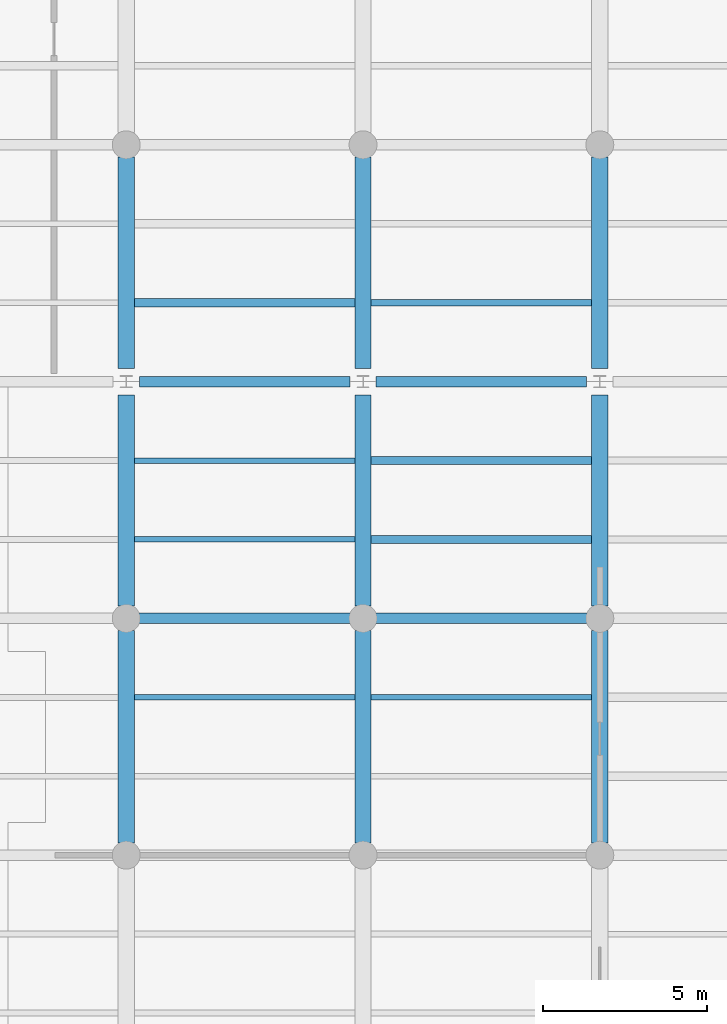
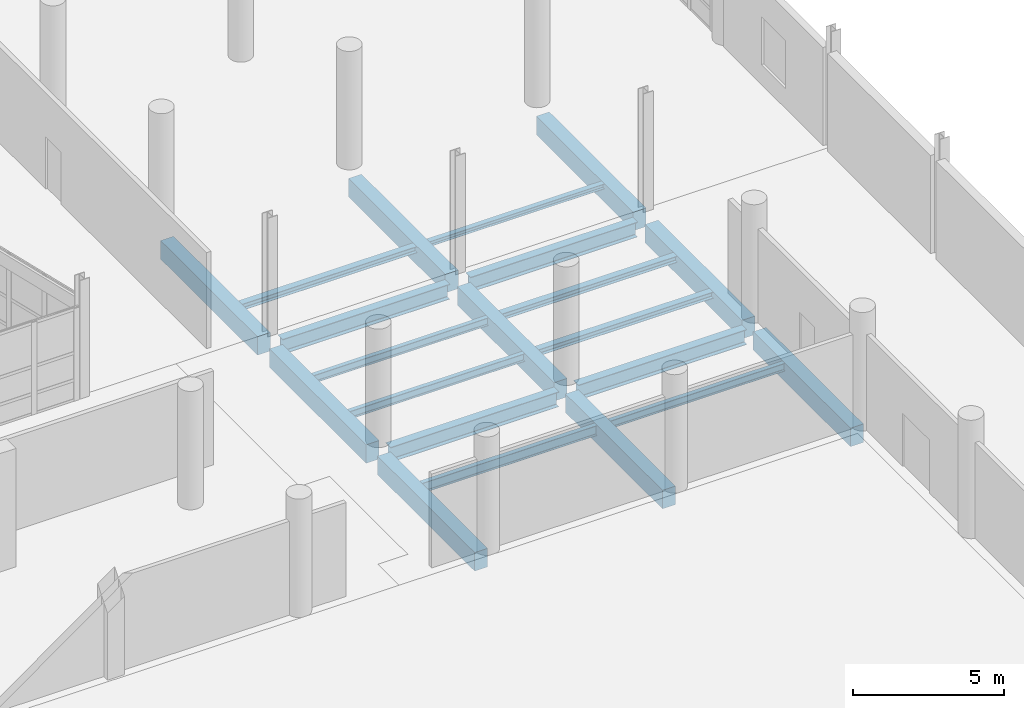
# One storey, part 63 of 127: 21 beams.
"""IFC4 building model written with IfcOpenShell, lengths in metres."""

from ifc_helpers import new_model, si_unit, direction, frame, origin, origin_2d, place, context, subcontext, project, spatial, rectangle, i_section, extrude, material, material_profile, profile_set, type_object, element, save


model = new_model("IFC4")

# Units and contexts
model_context = context("Model", 3, precision=1e-05, world=origin(), true_north=direction((0.0, 1.0)))
body_context = subcontext(model_context, "Body", "Model", "MODEL_VIEW")
ifc_project = project(units=[si_unit("LENGTHUNIT", "METRE"), si_unit("AREAUNIT", "SQUARE_METRE"), si_unit("VOLUMEUNIT", "CUBIC_METRE"), si_unit("PLANEANGLEUNIT", "RADIAN"), si_unit("MASSUNIT", "GRAM", prefix="KILO")], contexts=[model_context])

# Site, building, storey
site_placement = place(None, origin())
site = spatial("IfcSite", under=ifc_project, at=site_placement, CompositionType="ELEMENT")
building_placement = place(site_placement, origin())
building = spatial("IfcBuilding", under=site, at=building_placement, Name="Kalmorath City Hall", CompositionType="ELEMENT")
storey_placement = place(building_placement, frame((0.0, 0.0, 5.39990234375)))
storey = spatial("IfcBuildingStorey", under=building, at=storey_placement, Name="L01", CompositionType="ELEMENT", Elevation=5.39990234375)

# Beams
ifc_material_1 = material(Name="Concrete C40/50", Category="concrete")
ifc_material_profile_1 = material_profile(ifc_material_1, rectangle(XDim=0.5, YDim=0.75, at=origin_2d()), Name="RC-BM-500X750")
ifc_profile_set_1 = profile_set([ifc_material_profile_1], Name="Concrete C40/50")
beam_type_1 = type_object("IfcBeamType", Name="Concrete floor beam 500x750", PredefinedType="BEAM", material=ifc_profile_set_1)
beam_1_placement = place(storey_placement, frame((144.0, 29.175048828125, -0.698974609375), z_axis=(0.0, 1.0, 0.0), x_axis=(-1.0, 0.0, 0.0)))
element("IfcBeam", 1, at=beam_1_placement, inside=storey, type_object=beam_type_1, Name="L01 girder CB3 Y21/5-6", PredefinedType="BEAM", context=body_context, shape_type="SweptSolid", body=[
    extrude(rectangle(XDim=0.5, YDim=0.75, at=origin_2d()), origin(), (0.0, 0.0, 1.0), 6.449951171875),
])
beam_2_placement = place(storey_placement, frame((144.0, 36.375, -0.698974609375), z_axis=(0.0, 1.0, 0.0), x_axis=(-1.0, 0.0, 0.0)))
element("IfcBeam", 2, at=beam_2_placement, inside=storey, type_object=beam_type_1, Name="L01 girder CB3 Y21/6-7", PredefinedType="BEAM", context=body_context, shape_type="SweptSolid", body=[
    extrude(rectangle(XDim=0.5, YDim=0.75, at=origin_2d()), origin(), (0.0, 0.0, 1.0), 6.425048828125),
])
beam_3_placement = place(storey_placement, frame((144.0, 43.60009765625, -0.698974609375), z_axis=(0.0, 1.0, 0.0), x_axis=(-1.0, 0.0, 0.0)))
element("IfcBeam", 3, at=beam_3_placement, inside=storey, type_object=beam_type_1, Name="L01 girder CB3 Y21/7-8", PredefinedType="BEAM", context=body_context, shape_type="SweptSolid", body=[
    extrude(rectangle(XDim=0.5, YDim=0.75, at=origin_2d()), origin(), (0.0, 0.0, 1.0), 6.4248046875),
])
beam_4_placement = place(storey_placement, frame((151.199951171875, 29.175048828125, -0.698974609375), z_axis=(0.0, 1.0, 0.0), x_axis=(-1.0, 0.0, 0.0)))
element("IfcBeam", 4, at=beam_4_placement, inside=storey, type_object=beam_type_1, Name="L01 girder CB3 Y22/5-6", PredefinedType="BEAM", context=body_context, shape_type="SweptSolid", body=[
    extrude(rectangle(XDim=0.5, YDim=0.75, at=origin_2d()), origin(), (0.0, 0.0, 1.0), 6.449951171875),
])
beam_5_placement = place(storey_placement, frame((151.199951171875, 36.375, -0.698974609375), z_axis=(0.0, 1.0, 0.0), x_axis=(-1.0, 0.0, 0.0)))
element("IfcBeam", 5, at=beam_5_placement, inside=storey, type_object=beam_type_1, Name="L01 girder CB3 Y22/6-7", PredefinedType="BEAM", context=body_context, shape_type="SweptSolid", body=[
    extrude(rectangle(XDim=0.5, YDim=0.75, at=origin_2d()), origin(), (0.0, 0.0, 1.0), 6.425048828125),
])
beam_6_placement = place(storey_placement, frame((151.199951171875, 43.60009765625, -0.698974609375), z_axis=(0.0, 1.0, 0.0), x_axis=(-1.0, 0.0, 0.0)))
element("IfcBeam", 6, at=beam_6_placement, inside=storey, type_object=beam_type_1, Name="L01 girder CB3 Y22/7-8", PredefinedType="BEAM", context=body_context, shape_type="SweptSolid", body=[
    extrude(rectangle(XDim=0.5, YDim=0.75, at=origin_2d()), origin(), (0.0, 0.0, 1.0), 6.4248046875),
])
beam_7_placement = place(storey_placement, frame((158.39990234375, 29.175048828125, -0.698974609375), z_axis=(0.0, 1.0, 0.0), x_axis=(-1.0, 0.0, 0.0)))
element("IfcBeam", 7, at=beam_7_placement, inside=storey, type_object=beam_type_1, Name="L01 girder CB3 Y23/5-6", PredefinedType="BEAM", context=body_context, shape_type="SweptSolid", body=[
    extrude(rectangle(XDim=0.5, YDim=0.75, at=origin_2d()), origin(), (0.0, 0.0, 1.0), 6.449951171875),
])
beam_8_placement = place(storey_placement, frame((158.39990234375, 36.375, -0.698974609375), z_axis=(0.0, 1.0, 0.0), x_axis=(-1.0, 0.0, 0.0)))
element("IfcBeam", 8, at=beam_8_placement, inside=storey, type_object=beam_type_1, Name="L01 girder CB3 Y23/6-7", PredefinedType="BEAM", context=body_context, shape_type="SweptSolid", body=[
    extrude(rectangle(XDim=0.5, YDim=0.75, at=origin_2d()), origin(), (0.0, 0.0, 1.0), 6.425048828125),
])
beam_9_placement = place(storey_placement, frame((158.39990234375, 43.60009765625, -0.698974609375), z_axis=(0.0, 1.0, 0.0), x_axis=(-1.0, 0.0, 0.0)))
element("IfcBeam", 9, at=beam_9_placement, inside=storey, type_object=beam_type_1, Name="L01 girder CB3 Y23/7-8", PredefinedType="BEAM", context=body_context, shape_type="SweptSolid", body=[
    extrude(rectangle(XDim=0.5, YDim=0.75, at=origin_2d()), origin(), (0.0, 0.0, 1.0), 6.4248046875),
])
ifc_material_2 = material(Name="Steel ASTM A992 Grade 50", Category="steel")
ifc_material_profile_2 = material_profile(ifc_material_2, i_section(OverallWidth=0.177001953125, OverallDepth=0.403076171875, WebThickness=0.007568359375, FlangeThickness=0.010986328125, FilletRadius=0.012939453125, at=origin_2d()), Name="W16X36")
ifc_profile_set_2 = profile_set([ifc_material_profile_2], Name="Steel ASTM A992 Grade 50")
beam_type_2 = type_object("IfcBeamType", Name="Steel composite joist W16X36", PredefinedType="JOIST", material=ifc_profile_set_2)
beam_10_placement = place(storey_placement, frame((144.25, 33.60009765625, -0.525390625), z_axis=(1.0, 0.0, 0.0), x_axis=(0.0, 1.0, 0.0)))
element("IfcBeam", 10, at=beam_10_placement, inside=storey, type_object=beam_type_2, Name="L01 joist SJ7 21.5.2", PredefinedType="JOIST", context=body_context, shape_type="SweptSolid", body=[
    extrude(i_section(OverallWidth=0.177001953125, OverallDepth=0.403076171875, WebThickness=0.007568359375, FlangeThickness=0.010986328125, FilletRadius=0.012939453125, at=origin_2d()), origin(), (0.0, 0.0, 1.0), 6.699951171875),
])
ifc_material_3 = material(Name="Steel ASTM A992 Grade 50", Category="steel")
ifc_material_profile_3 = material_profile(ifc_material_3, i_section(OverallWidth=0.202880859375, OverallDepth=0.202880859375, WebThickness=0.007080078125, FlangeThickness=0.010986328125, FilletRadius=0.010986328125, at=origin_2d()), Name="W8X31")
ifc_profile_set_3 = profile_set([ifc_material_profile_3], Name="Steel ASTM A992 Grade 50")
beam_type_3 = type_object("IfcBeamType", Name="Steel edge trimmer W8X31", PredefinedType="LINTEL", material=ifc_profile_set_3)
beam_11_placement = place(storey_placement, frame((151.449951171875, 45.60009765625, -0.42529296875), z_axis=(1.0, 0.0, 0.0), x_axis=(0.0, 1.0, 0.0)))
element("IfcBeam", 11, at=beam_11_placement, inside=storey, type_object=beam_type_3, Name="L01 joist SJ16 22.7.1", PredefinedType="LINTEL", context=body_context, shape_type="SweptSolid", body=[
    extrude(i_section(OverallWidth=0.202880859375, OverallDepth=0.202880859375, WebThickness=0.007080078125, FlangeThickness=0.010986328125, FilletRadius=0.010986328125, at=origin_2d()), origin(), (0.0, 0.0, 1.0), 6.699951171875),
])
ifc_material_4 = material(Name="Steel ASTM A992 Grade 50", Category="steel")
ifc_material_profile_4 = material_profile(ifc_material_4, i_section(OverallWidth=0.323974609375, OverallDepth=0.611083984375, WebThickness=0.0126953125, FlangeThickness=0.01904296875, FilletRadius=0.01611328125, at=origin_2d()), Name="W24X104")
ifc_profile_set_4 = profile_set([ifc_material_profile_4], Name="Steel ASTM A992 Grade 50")
beam_type_4 = type_object("IfcBeamType", Name="Steel floor girder W24X104", PredefinedType="BEAM", material=ifc_profile_set_4)
for number, where, z_axis, x_axis, name in (
    (12, (144.375, 36.0, -0.62939453125), (1.0, 0.0, 0.0), (0.0, 1.0, 0.0), "L01 girder SG7 X21-22/6"),
    (13, (151.574951171875, 36.0, -0.62939453125), (1.0, 0.0, 0.0), (0.0, 1.0, 0.0), "L01 girder SG7 X22-23/6"),
):
    element("IfcBeam", number, at=place(storey_placement, frame(where, z_axis=z_axis, x_axis=x_axis)), inside=storey, type_object=beam_type_4, Name=name, PredefinedType="BEAM", context=body_context, shape_type="SweptSolid", body=[
        extrude(i_section(OverallWidth=0.323974609375, OverallDepth=0.611083984375, WebThickness=0.0126953125, FlangeThickness=0.01904296875, FilletRadius=0.01611328125, at=origin_2d()), origin(), (0.0, 0.0, 1.0), 6.449951171875),
    ])
beam_12_placement = place(storey_placement, frame((144.39990234375, 43.199951171875, -0.62939453125), z_axis=(1.0, 0.0, 0.0), x_axis=(0.0, 1.0, 0.0)))
element("IfcBeam", 14, at=beam_12_placement, inside=storey, type_object=beam_type_4, Name="L01 girder SG7 X21-22/7", PredefinedType="BEAM", context=body_context, shape_type="SweptSolid", body=[
    extrude(i_section(OverallWidth=0.323974609375, OverallDepth=0.611083984375, WebThickness=0.0126953125, FlangeThickness=0.01904296875, FilletRadius=0.01611328125, at=origin_2d()), origin(), (0.0, 0.0, 1.0), 6.400146484375),
])
beam_13_placement = place(storey_placement, frame((151.60009765625, 43.199951171875, -0.62939453125), z_axis=(1.0, 0.0, 0.0), x_axis=(0.0, 1.0, 0.0)))
element("IfcBeam", 15, at=beam_13_placement, inside=storey, type_object=beam_type_4, Name="L01 girder SG7 X22-23/7", PredefinedType="BEAM", context=body_context, shape_type="SweptSolid", body=[
    extrude(i_section(OverallWidth=0.323974609375, OverallDepth=0.611083984375, WebThickness=0.0126953125, FlangeThickness=0.01904296875, FilletRadius=0.01611328125, at=origin_2d()), origin(), (0.0, 0.0, 1.0), 6.39990234375),
])
ifc_material_5 = material(Name="Steel ASTM A992 Grade 50", Category="steel")
ifc_material_profile_5 = material_profile(ifc_material_5, i_section(OverallWidth=0.1669921875, OverallDepth=0.318115234375, WebThickness=0.007568359375, FlangeThickness=0.01318359375, FilletRadius=0.012939453125, at=origin_2d()), Name="W12X35")
ifc_profile_set_5 = profile_set([ifc_material_profile_5], Name="Steel ASTM A992 Grade 50")
beam_type_5 = type_object("IfcBeamType", Name="Steel header lintel W12X35", PredefinedType="LINTEL", material=ifc_profile_set_5)
for number, where, z_axis, x_axis, name in (
    (16, (144.25, 38.39990234375, -0.48291015625), (1.0, 0.0, 0.0), (0.0, 1.0, 0.0), "L01 joist SJ13 21.6.1"),
    (17, (144.25, 40.800048828125, -0.48291015625), (1.0, 0.0, 0.0), (0.0, 1.0, 0.0), "L01 joist SJ13 21.6.2"),
    (18, (151.449951171875, 33.60009765625, -0.48291015625), (1.0, 0.0, 0.0), (0.0, 1.0, 0.0), "L01 joist SJ13 22.5.2"),
):
    element("IfcBeam", number, at=place(storey_placement, frame(where, z_axis=z_axis, x_axis=x_axis)), inside=storey, type_object=beam_type_5, Name=name, PredefinedType="LINTEL", context=body_context, shape_type="SweptSolid", body=[
        extrude(i_section(OverallWidth=0.1669921875, OverallDepth=0.318115234375, WebThickness=0.007568359375, FlangeThickness=0.01318359375, FilletRadius=0.012939453125, at=origin_2d()), origin(), (0.0, 0.0, 1.0), 6.699951171875),
    ])
ifc_material_6 = material(Name="Steel ASTM A992 Grade 50", Category="steel")
ifc_material_profile_6 = material_profile(ifc_material_6, i_section(OverallWidth=0.25390625, OverallDepth=0.2529296875, WebThickness=0.008544921875, FlangeThickness=0.01416015625, FilletRadius=0.011962890625, at=origin_2d()), Name="W10X49")
ifc_profile_set_6 = profile_set([ifc_material_profile_6], Name="Steel ASTM A992 Grade 50")
beam_type_6 = type_object("IfcBeamType", Name="Steel trimmer beam W10X49", PredefinedType="BEAM", material=ifc_profile_set_6)
for number, where, z_axis, x_axis, name in (
    (19, (144.25, 45.60009765625, -0.450439453125), (1.0, 0.0, 0.0), (0.0, 1.0, 0.0), "L01 joist SJ14 21.7.1"),
    (20, (151.449951171875, 38.39990234375, -0.450439453125), (1.0, 0.0, 0.0), (0.0, 1.0, 0.0), "L01 joist SJ14 22.6.1"),
    (21, (151.449951171875, 40.800048828125, -0.450439453125), (1.0, 0.0, 0.0), (0.0, 1.0, 0.0), "L01 joist SJ14 22.6.2"),
):
    element("IfcBeam", number, at=place(storey_placement, frame(where, z_axis=z_axis, x_axis=x_axis)), inside=storey, type_object=beam_type_6, Name=name, PredefinedType="BEAM", context=body_context, shape_type="SweptSolid", body=[
        extrude(i_section(OverallWidth=0.25390625, OverallDepth=0.2529296875, WebThickness=0.008544921875, FlangeThickness=0.01416015625, FilletRadius=0.011962890625, at=origin_2d()), origin(), (0.0, 0.0, 1.0), 6.699951171875),
    ])

save(model, "model.ifc")
